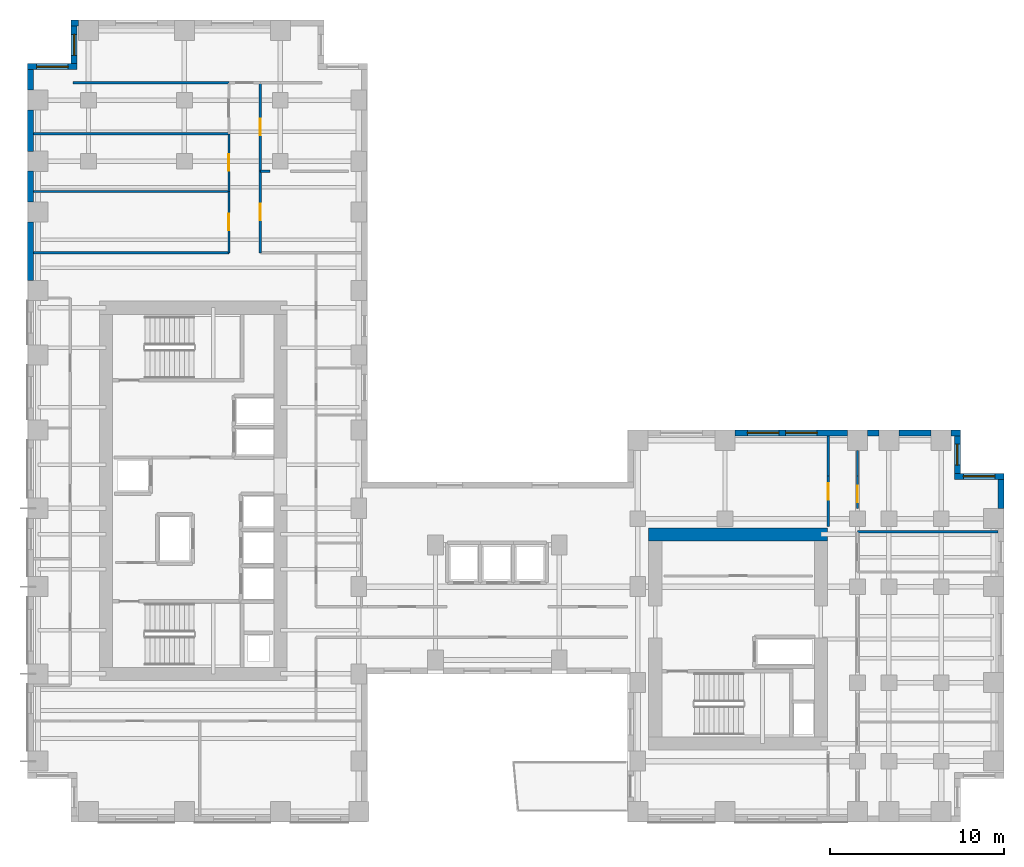
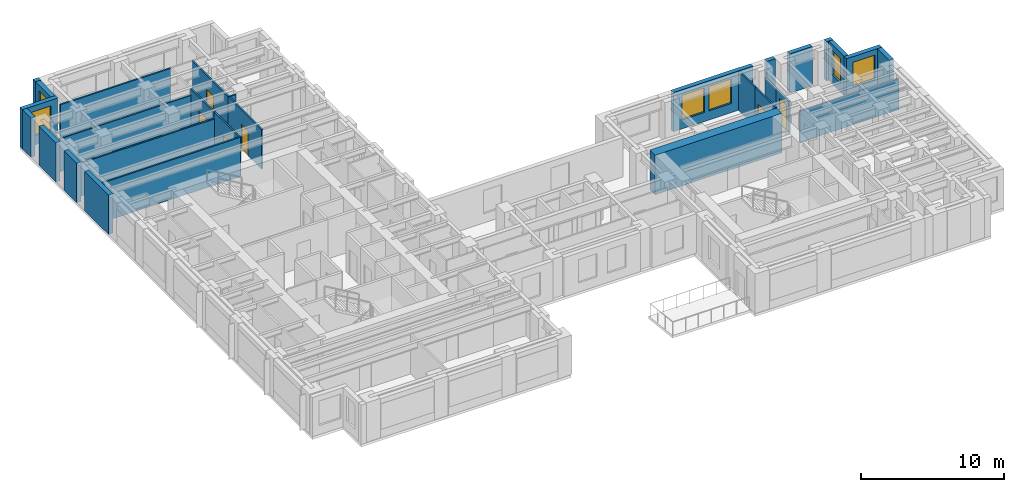
# One storey, part 8 of 12: 29 walls, 6 doors, 6 windows, 12 openings.
"""IFC4 building model written with IfcOpenShell, lengths in metres."""

from ifc_helpers import new_model, si_unit, direction, frame, frame_2d, origin, place, context, subcontext, project, spatial, rectangle, extrude, source, transform, mapped, material, layer, layer_set, type_object, element, fill, save


model = new_model("IFC4")

# Units and contexts
model_context = context("Model", 3, precision=1e-05, world=origin(), true_north=direction((0.0, 1.0)))
body_context = subcontext(model_context, "Body", "Model", "MODEL_VIEW")
ifc_project = project(units=[si_unit("LENGTHUNIT", "METRE"), si_unit("AREAUNIT", "SQUARE_METRE"), si_unit("VOLUMEUNIT", "CUBIC_METRE"), si_unit("PLANEANGLEUNIT", "RADIAN"), si_unit("MASSUNIT", "GRAM", prefix="KILO")], contexts=[model_context])

# Site, building, storey
site_placement = place(None, origin())
site = spatial("IfcSite", under=ifc_project, at=site_placement, CompositionType="ELEMENT")
building_placement = place(site_placement, origin())
building = spatial("IfcBuilding", under=site, at=building_placement, Name="Kharzan Plaza Tower", CompositionType="ELEMENT")
storey_placement = place(building_placement, frame((0.0, 0.0, 91.800048828125)))
storey = spatial("IfcBuildingStorey", under=building, at=storey_placement, Name="L24", CompositionType="ELEMENT", Elevation=91.800048828125)

# Wall, opening, window
ifc_material_1 = material(Name="Concrete C40/50", Category="concrete")
ifc_layer_1 = layer(ifc_material_1, 0.35009765625)
ifc_layer_set_1 = layer_set([ifc_layer_1], Name="Concrete C40/50")
wall_type_1 = type_object("IfcWallType", Name="WL-EXT-MAS-Z2", PredefinedType="SOLIDWALL", material=ifc_layer_set_1)
wall_1_placement = place(storey_placement, frame((2.675048828125, 45.652099609375, 0.0), z_axis=(0.0, 0.0, 1.0), x_axis=(0.0, -1.0, 0.0)))
wall_1 = element("IfcWall", 1, at=wall_1_placement, inside=storey, type_object=wall_type_1, Name="L24 Masonry-Frame Exterior Wall 14", PredefinedType="SOLIDWALL", context=body_context, shape_type="SweptSolid", body=[
    extrude(rectangle(XDim=2.154052734375, YDim=0.35009765625, at=frame_2d((1.0771484375, 0.0))), origin(), (0.0, 0.0, 1.0), 3.364990234375),
])
opening_1_placement = place(wall_1_placement, frame((0.47705078125, 0.0, 0.780029296875)))
opening_1 = element("IfcOpeningElement", 2, at=opening_1_placement, cuts=wall_1, Name="Opening W3", PredefinedType="OPENING", context=body_context, shape_type="SweptSolid", body=[
    extrude(rectangle(XDim=1.199951171875, YDim=2.10009765625, at=frame_2d((0.60009765625, 1.050048828125))), frame((0.0, 0.18505859375, 0.0), z_axis=(0.0, -1.0, 0.0), x_axis=(1.0, 0.0, 0.0)), (0.0, 0.0, 1.0), 0.3701171875),
])
ifc_material_2 = material(Name="Low-E Double Glazing", Category="glass")
window_type_1 = type_object("IfcWindowType", Name="WN-REC-1200x2100", PartitioningType="SINGLE_PANEL", PredefinedType="WINDOW", material=ifc_material_2)
shared_shape_1 = source(origin(), body_context, "Body", "SweptSolid", [
    extrude(rectangle(XDim=1.199951171875, YDim=2.10009765625, at=frame_2d((0.60009765625, 1.050048828125))), frame((0.0, 0.030029296875, 0.0), z_axis=(0.0, -1.0, 0.0), x_axis=(1.0, 0.0, 0.0)), (0.0, 0.0, 1.0), 0.06005859375),
])
window_1_placement = place(opening_1_placement, origin())
window_1 = element("IfcWindow", 3, at=window_1_placement, inside=storey, type_object=window_type_1, Name="L24 Recessed Solar-Control Window 14-1", OverallHeight=2.10009765625, OverallWidth=1.199951171875, PartitioningType="SINGLE_PANEL", PredefinedType="WINDOW", context=body_context, shape_type="MappedRepresentation", body=[
    mapped(shared_shape_1, transform((0.0, 0.0, 0.0), x_axis=(1.0, 0.0, 0.0), y_axis=(0.0, 1.0, 0.0), z_axis=(0.0, 0.0, 1.0))),
])
fill(opening_1, window_1)

wall_2_placement = place(storey_placement, frame((2.85009765625, 43.324951171875, 0.0), z_axis=(0.0, 0.0, 1.0), x_axis=(-1.0, 0.0, 0.0)))
wall_2 = element("IfcWall", 4, at=wall_2_placement, inside=storey, type_object=wall_type_1, Name="L24 Masonry-Frame Exterior Wall 15", PredefinedType="SOLIDWALL", context=body_context, shape_type="SweptSolid", body=[
    extrude(rectangle(XDim=2.85009765625, YDim=0.35009765625, at=frame_2d((1.425048828125, 0.0))), origin(), (0.0, 0.0, 1.0), 3.364990234375),
])
opening_2_placement = place(wall_2_placement, frame((0.52490234375, 0.0, 0.780029296875)))
opening_2 = element("IfcOpeningElement", 5, at=opening_2_placement, cuts=wall_2, Name="Opening W1", PredefinedType="OPENING", context=body_context, shape_type="SweptSolid", body=[
    extrude(rectangle(XDim=1.800048828125, YDim=2.10009765625, at=frame_2d((0.89990234375, 1.050048828125))), frame((0.0, 0.18505859375, 0.0), z_axis=(0.0, -1.0, 0.0), x_axis=(1.0, 0.0, 0.0)), (0.0, 0.0, 1.0), 0.3701171875),
])
window_type_2 = type_object("IfcWindowType", Name="WN-REC-1800x2100", PartitioningType="SINGLE_PANEL", PredefinedType="WINDOW", material=ifc_material_2)
shared_shape_2 = source(origin(), body_context, "Body", "SweptSolid", [
    extrude(rectangle(XDim=1.800048828125, YDim=2.10009765625, at=frame_2d((0.89990234375, 1.050048828125))), frame((0.0, 0.030029296875, 0.0), z_axis=(0.0, -1.0, 0.0), x_axis=(1.0, 0.0, 0.0)), (0.0, 0.0, 1.0), 0.06005859375),
])
window_2_placement = place(opening_2_placement, origin())
window_2 = element("IfcWindow", 6, at=window_2_placement, inside=storey, type_object=window_type_2, Name="L24 Recessed Solar-Control Window 15-1", OverallHeight=2.10009765625, OverallWidth=1.800048828125, PartitioningType="SINGLE_PANEL", PredefinedType="WINDOW", context=body_context, shape_type="MappedRepresentation", body=[
    mapped(shared_shape_2, transform((0.0, 0.0, 0.0), x_axis=(1.0, 0.0, 0.0), y_axis=(0.0, 1.0, 0.0), z_axis=(0.0, 0.0, 1.0))),
])
fill(opening_2, window_2)

wall_3_placement = place(storey_placement, frame((56.0, 19.824951171875, 0.0), z_axis=(0.0, 0.0, 1.0), x_axis=(-1.0, 0.0, 0.0)))
wall_3 = element("IfcWall", 7, at=wall_3_placement, inside=storey, type_object=wall_type_1, Name="L24 Masonry-Frame Exterior Wall 50", PredefinedType="SOLIDWALL", context=body_context, shape_type="SweptSolid", body=[
    extrude(rectangle(XDim=2.85009765625, YDim=0.35009765625, at=frame_2d((1.425048828125, 0.0))), origin(), (0.0, 0.0, 1.0), 3.364990234375),
])
opening_3_placement = place(wall_3_placement, frame((0.52490234375, 0.0, 0.780029296875)))
opening_3 = element("IfcOpeningElement", 8, at=opening_3_placement, cuts=wall_3, Name="Opening W1", PredefinedType="OPENING", context=body_context, shape_type="SweptSolid", body=[
    extrude(rectangle(XDim=1.800048828125, YDim=2.10009765625, at=frame_2d((0.89990234375, 1.050048828125))), frame((0.0, 0.18505859375, 0.0), z_axis=(0.0, -1.0, 0.0), x_axis=(1.0, 0.0, 0.0)), (0.0, 0.0, 1.0), 0.3701171875),
])
window_3_placement = place(opening_3_placement, origin())
window_3 = element("IfcWindow", 9, at=window_3_placement, inside=storey, type_object=window_type_2, Name="L24 Recessed Solar-Control Window 50-1", OverallHeight=2.10009765625, OverallWidth=1.800048828125, PartitioningType="SINGLE_PANEL", PredefinedType="WINDOW", context=body_context, shape_type="MappedRepresentation", body=[
    mapped(shared_shape_2, transform((0.0, 0.0, 0.0), x_axis=(1.0, 0.0, 0.0), y_axis=(0.0, 1.0, 0.0), z_axis=(0.0, 0.0, 1.0))),
])
fill(opening_3, window_3)

wall_4_placement = place(storey_placement, frame((53.324951171875, 19.998046875, 0.0), z_axis=(0.0, 0.0, 1.0), x_axis=(0.0, 1.0, 0.0)))
wall_4 = element("IfcWall", 10, at=wall_4_placement, inside=storey, type_object=wall_type_1, Name="L24 Masonry-Frame Exterior Wall 51", PredefinedType="SOLIDWALL", context=body_context, shape_type="SweptSolid", body=[
    extrude(rectangle(XDim=2.154052734375, YDim=0.35009765625, at=frame_2d((1.0771484375, 0.0))), origin(), (0.0, 0.0, 1.0), 3.364990234375),
])
opening_4_placement = place(wall_4_placement, frame((0.47705078125, 0.0, 0.780029296875)))
opening_4 = element("IfcOpeningElement", 11, at=opening_4_placement, cuts=wall_4, Name="Opening W3", PredefinedType="OPENING", context=body_context, shape_type="SweptSolid", body=[
    extrude(rectangle(XDim=1.199951171875, YDim=2.10009765625, at=frame_2d((0.60009765625, 1.050048828125))), frame((0.0, 0.18505859375, 0.0), z_axis=(0.0, -1.0, 0.0), x_axis=(1.0, 0.0, 0.0)), (0.0, 0.0, 1.0), 0.3701171875),
])
window_4_placement = place(opening_4_placement, origin())
window_4 = element("IfcWindow", 12, at=window_4_placement, inside=storey, type_object=window_type_1, Name="L24 Recessed Solar-Control Window 51-1", OverallHeight=2.10009765625, OverallWidth=1.199951171875, PartitioningType="SINGLE_PANEL", PredefinedType="WINDOW", context=body_context, shape_type="MappedRepresentation", body=[
    mapped(shared_shape_1, transform((0.0, 0.0, 0.0), x_axis=(1.0, 0.0, 0.0), y_axis=(0.0, 1.0, 0.0), z_axis=(0.0, 0.0, 1.0))),
])
fill(opening_4, window_4)

# Wall, openings, windows
wall_5_placement = place(storey_placement, frame((47.027099609375, 22.324951171875, 0.0), z_axis=(0.0, 0.0, 1.0), x_axis=(-1.0, 0.0, 0.0)))
wall_5 = element("IfcWall", 13, at=wall_5_placement, inside=storey, type_object=wall_type_1, Name="L24 Masonry-Frame Exterior Wall 55", PredefinedType="SOLIDWALL", context=body_context, shape_type="SweptSolid", body=[
    extrude(rectangle(XDim=6.4541015625, YDim=0.35009765625, at=frame_2d((3.22705078125, 0.0))), origin(), (0.0, 0.0, 1.0), 3.364990234375),
])
opening_5_placement = place(wall_5_placement, frame((1.749267578125, 0.0, 0.780029296875)))
opening_5 = element("IfcOpeningElement", 14, at=opening_5_placement, cuts=wall_5, Name="Opening W1", PredefinedType="OPENING", context=body_context, shape_type="SweptSolid", body=[
    extrude(rectangle(XDim=1.800048828125, YDim=2.10009765625, at=frame_2d((0.89990234375, 1.050048828125))), frame((0.0, 0.18505859375, 0.0), z_axis=(0.0, -1.0, 0.0), x_axis=(1.0, 0.0, 0.0)), (0.0, 0.0, 1.0), 0.3701171875),
])
opening_6_placement = place(wall_5_placement, frame((3.941650390625, 0.0, 0.780029296875)))
opening_6 = element("IfcOpeningElement", 15, at=opening_6_placement, cuts=wall_5, Name="Opening W1", PredefinedType="OPENING", context=body_context, shape_type="SweptSolid", body=[
    extrude(rectangle(XDim=1.800048828125, YDim=2.10009765625, at=frame_2d((0.89990234375, 1.050048828125))), frame((0.0, 0.18505859375, 0.0), z_axis=(0.0, -1.0, 0.0), x_axis=(1.0, 0.0, 0.0)), (0.0, 0.0, 1.0), 0.3701171875),
])
window_5_placement = place(opening_5_placement, origin())
window_5 = element("IfcWindow", 16, at=window_5_placement, inside=storey, type_object=window_type_2, Name="L24 Recessed Solar-Control Window 55-1", OverallHeight=2.10009765625, OverallWidth=1.800048828125, PartitioningType="SINGLE_PANEL", PredefinedType="WINDOW", context=body_context, shape_type="MappedRepresentation", body=[
    mapped(shared_shape_2, transform((0.0, 0.0, 0.0), x_axis=(1.0, 0.0, 0.0), y_axis=(0.0, 1.0, 0.0), z_axis=(0.0, 0.0, 1.0))),
])
fill(opening_5, window_5)
window_6_placement = place(opening_6_placement, origin())
window_6 = element("IfcWindow", 17, at=window_6_placement, inside=storey, type_object=window_type_2, Name="L24 Recessed Solar-Control Window 55-2", OverallHeight=2.10009765625, OverallWidth=1.800048828125, PartitioningType="SINGLE_PANEL", PredefinedType="WINDOW", context=body_context, shape_type="MappedRepresentation", body=[
    mapped(shared_shape_2, transform((0.0, 0.0, 0.0), x_axis=(1.0, 0.0, 0.0), y_axis=(0.0, 1.0, 0.0), z_axis=(0.0, 0.0, 1.0))),
])
fill(opening_6, window_6)

# Wall, opening, door
ifc_material_3 = material(Name="Fire-Rated Gypsum Board Partition", Category="gypsum")
ifc_layer_2 = layer(ifc_material_3, 0.125)
ifc_layer_set_2 = layer_set([ifc_layer_2], Name="Fire-Rated Gypsum Board Partition")
wall_type_2 = type_object("IfcWallType", Name="WL-INT-PART-125", PredefinedType="PARTITIONING", material=ifc_layer_set_2)
wall_6_placement = place(storey_placement, frame((47.60009765625, 17.989990234375, 0.0), z_axis=(0.0, 0.0, 1.0), x_axis=(0.0, 1.0, 0.0)))
wall_6 = element("IfcWall", 18, at=wall_6_placement, inside=storey, type_object=wall_type_2, Name="L24 Interior Partition SH-B3W2", PredefinedType="PARTITIONING", context=body_context, shape_type="SweptSolid", body=[
    extrude(rectangle(XDim=1.860107421875, YDim=0.125, at=frame_2d((0.93017578125, 0.0))), origin(), (0.0, 0.0, 1.0), 2.677001953125),
])
opening_7_placement = place(wall_6_placement, frame((0.36328125, 0.0, 0.0)))
opening_7 = element("IfcOpeningElement", 19, at=opening_7_placement, cuts=wall_6, Name="Opening OD1", PredefinedType="OPENING", context=body_context, shape_type="SweptSolid", body=[
    extrude(rectangle(XDim=0.949951171875, YDim=2.14990234375, at=frame_2d((0.47509765625, 1.074951171875))), frame((0.0, 0.072509765625, 0.0), z_axis=(0.0, -1.0, 0.0), x_axis=(1.0, 0.0, 0.0)), (0.0, 0.0, 1.0), 0.14501953125),
])
ifc_material_4 = material(Name="Acoustic Solid-Core Stained Oak", Category="timber")
door_type = type_object("IfcDoorType", Name="DR-OFF-SINGLE", OperationType="NOTDEFINED", PredefinedType="DOOR", material=ifc_material_4)
shared_shape_3 = source(origin(), body_context, "Body", "SweptSolid", [
    extrude(rectangle(XDim=0.949951171875, YDim=2.14990234375, at=frame_2d((0.47509765625, 1.074951171875))), frame((0.0, 0.02490234375, 0.0), z_axis=(0.0, -1.0, 0.0), x_axis=(1.0, 0.0, 0.0)), (0.0, 0.0, 1.0), 0.050048828125),
])
door_1_placement = place(opening_7_placement, origin())
door_1 = element("IfcDoor", 20, at=door_1_placement, inside=storey, type_object=door_type, Name="L24 Wing B Office 3 Door", OperationType="SINGLE_SWING_RIGHT", OverallHeight=2.14990234375, OverallWidth=0.949951171875, PredefinedType="DOOR", context=body_context, shape_type="MappedRepresentation", body=[
    mapped(shared_shape_3, transform((0.0, 0.0, 0.0), x_axis=(1.0, 0.0, 0.0), y_axis=(0.0, 1.0, 0.0), z_axis=(0.0, 0.0, 1.0))),
])
fill(opening_7, door_1)

wall_7_placement = place(storey_placement, frame((45.919921875, 16.949951171875, 0.0), z_axis=(0.0, 0.0, 1.0), x_axis=(0.0, 1.0, 0.0)))
wall_7 = element("IfcWall", 21, at=wall_7_placement, inside=storey, type_object=wall_type_2, Name="L24 Interior Partition SH-RBNE", PredefinedType="PARTITIONING", context=body_context, shape_type="SweptSolid", body=[
    extrude(rectangle(XDim=2.900146484375, YDim=0.125, at=frame_2d((1.4501953125, 0.0))), origin(), (0.0, 0.0, 1.0), 3.364990234375),
])
opening_8_placement = place(wall_7_placement, frame((1.54296875, 0.0, 0.0)))
opening_8 = element("IfcOpeningElement", 22, at=opening_8_placement, cuts=wall_7, Name="Opening OD1", PredefinedType="OPENING", context=body_context, shape_type="SweptSolid", body=[
    extrude(rectangle(XDim=0.949951171875, YDim=2.14990234375, at=frame_2d((0.47509765625, 1.074951171875))), frame((0.0, 0.072509765625, 0.0), z_axis=(0.0, -1.0, 0.0), x_axis=(1.0, 0.0, 0.0)), (0.0, 0.0, 1.0), 0.14501953125),
])
door_2_placement = place(opening_8_placement, origin())
door_2 = element("IfcDoor", 23, at=door_2_placement, inside=storey, type_object=door_type, Name="L24 Wing B North Studio Door", OperationType="SINGLE_SWING_LEFT", OverallHeight=2.14990234375, OverallWidth=0.949951171875, PredefinedType="DOOR", context=body_context, shape_type="MappedRepresentation", body=[
    mapped(shared_shape_3, transform((0.0, 0.0, 0.0), x_axis=(1.0, 0.0, 0.0), y_axis=(0.0, 1.0, 0.0), z_axis=(0.0, 0.0, 1.0))),
])
fill(opening_8, door_2)

wall_8_placement = place(storey_placement, frame((13.35009765625, 32.64990234375, 0.0), z_axis=(0.0, 0.0, 1.0), x_axis=(0.0, 1.0, 0.0)))
wall_8 = element("IfcWall", 24, at=wall_8_placement, inside=storey, type_object=wall_type_2, Name="L24 Interior Partition SH-SPE-1", PredefinedType="PARTITIONING", context=body_context, shape_type="SweptSolid", body=[
    extrude(rectangle(XDim=4.68017578125, YDim=0.125, at=frame_2d((2.340087890625, 0.0))), origin(), (0.0, 0.0, 1.0), 3.364990234375),
])
opening_9_placement = place(wall_8_placement, frame((1.864990234375, 0.0, 0.0)))
opening_9 = element("IfcOpeningElement", 25, at=opening_9_placement, cuts=wall_8, Name="Opening OD1", PredefinedType="OPENING", context=body_context, shape_type="SweptSolid", body=[
    extrude(rectangle(XDim=0.949951171875, YDim=2.14990234375, at=frame_2d((0.47509765625, 1.074951171875))), frame((0.0, 0.072509765625, 0.0), z_axis=(0.0, -1.0, 0.0), x_axis=(1.0, 0.0, 0.0)), (0.0, 0.0, 1.0), 0.14501953125),
])
door_3_placement = place(opening_9_placement, origin())
door_3 = element("IfcDoor", 26, at=door_3_placement, inside=storey, type_object=door_type, Name="L24 Occupational Health Treatment Room Door", OperationType="SINGLE_SWING_LEFT", OverallHeight=2.14990234375, OverallWidth=0.949951171875, PredefinedType="DOOR", context=body_context, shape_type="MappedRepresentation", body=[
    mapped(shared_shape_3, transform((0.0, 0.0, 0.0), x_axis=(1.0, 0.0, 0.0), y_axis=(0.0, 1.0, 0.0), z_axis=(0.0, 0.0, 1.0))),
])
fill(opening_9, door_3)

wall_9_placement = place(storey_placement, frame((13.35009765625, 37.330078125, 0.0), z_axis=(0.0, 0.0, 1.0), x_axis=(0.0, 1.0, 0.0)))
wall_9 = element("IfcWall", 27, at=wall_9_placement, inside=storey, type_object=wall_type_2, Name="L24 Interior Partition SH-SPE-2", PredefinedType="PARTITIONING", context=body_context, shape_type="SweptSolid", body=[
    extrude(rectangle(XDim=5.06982421875, YDim=0.125, at=frame_2d((2.534912109375, 0.0))), origin(), (0.0, 0.0, 1.0), 3.364990234375),
])
opening_10_placement = place(wall_9_placement, frame((2.06005859375, 0.0, 0.0)))
opening_10 = element("IfcOpeningElement", 28, at=opening_10_placement, cuts=wall_9, Name="Opening OD1", PredefinedType="OPENING", context=body_context, shape_type="SweptSolid", body=[
    extrude(rectangle(XDim=0.949951171875, YDim=2.14990234375, at=frame_2d((0.47509765625, 1.074951171875))), frame((0.0, 0.072509765625, 0.0), z_axis=(0.0, -1.0, 0.0), x_axis=(1.0, 0.0, 0.0)), (0.0, 0.0, 1.0), 0.14501953125),
])
door_4_placement = place(opening_10_placement, origin())
door_4 = element("IfcDoor", 29, at=door_4_placement, inside=storey, type_object=door_type, Name="L24 Occupational Health Treatment Room Door", OperationType="SINGLE_SWING_LEFT", OverallHeight=2.14990234375, OverallWidth=0.949951171875, PredefinedType="DOOR", context=body_context, shape_type="MappedRepresentation", body=[
    mapped(shared_shape_3, transform((0.0, 0.0, 0.0), x_axis=(1.0, 0.0, 0.0), y_axis=(0.0, 1.0, 0.0), z_axis=(0.0, 0.0, 1.0))),
])
fill(opening_10, door_4)

wall_10_placement = place(storey_placement, frame((11.550048828125, 32.64990234375, 0.0), z_axis=(0.0, 0.0, 1.0), x_axis=(0.0, 1.0, 0.0)))
wall_10 = element("IfcWall", 30, at=wall_10_placement, inside=storey, type_object=wall_type_2, Name="L24 Interior Partition SH-SPW-1", PredefinedType="PARTITIONING", context=body_context, shape_type="SweptSolid", body=[
    extrude(rectangle(XDim=3.510009765625, YDim=0.125, at=frame_2d((1.7548828125, 0.0))), origin(), (0.0, 0.0, 1.0), 3.364990234375),
])
opening_11_placement = place(wall_10_placement, frame((1.280029296875, 0.0, 0.0)))
opening_11 = element("IfcOpeningElement", 31, at=opening_11_placement, cuts=wall_10, Name="Opening OD1", PredefinedType="OPENING", context=body_context, shape_type="SweptSolid", body=[
    extrude(rectangle(XDim=0.949951171875, YDim=2.14990234375, at=frame_2d((0.47509765625, 1.074951171875))), frame((0.0, 0.072509765625, 0.0), z_axis=(0.0, -1.0, 0.0), x_axis=(1.0, 0.0, 0.0)), (0.0, 0.0, 1.0), 0.14501953125),
])
door_5_placement = place(opening_11_placement, origin())
door_5 = element("IfcDoor", 32, at=door_5_placement, inside=storey, type_object=door_type, Name="L24 Staff Refreshment Pantry Door", OperationType="SINGLE_SWING_RIGHT", OverallHeight=2.14990234375, OverallWidth=0.949951171875, PredefinedType="DOOR", context=body_context, shape_type="MappedRepresentation", body=[
    mapped(shared_shape_3, transform((0.0, 0.0, 0.0), x_axis=(1.0, 0.0, 0.0), y_axis=(0.0, 1.0, 0.0), z_axis=(0.0, 0.0, 1.0))),
])
fill(opening_11, door_5)

wall_11_placement = place(storey_placement, frame((11.550048828125, 36.159912109375, 0.0), z_axis=(0.0, 0.0, 1.0), x_axis=(0.0, 1.0, 0.0)))
wall_11 = element("IfcWall", 33, at=wall_11_placement, inside=storey, type_object=wall_type_2, Name="L24 Interior Partition SH-SPW-2", PredefinedType="PARTITIONING", context=body_context, shape_type="SweptSolid", body=[
    extrude(rectangle(XDim=3.315185546875, YDim=0.125, at=frame_2d((1.65771484375, 0.0))), origin(), (0.0, 0.0, 1.0), 3.364990234375),
])
opening_12_placement = place(wall_11_placement, frame((1.1826171875, 0.0, 0.0)))
opening_12 = element("IfcOpeningElement", 34, at=opening_12_placement, cuts=wall_11, Name="Opening OD1", PredefinedType="OPENING", context=body_context, shape_type="SweptSolid", body=[
    extrude(rectangle(XDim=0.949951171875, YDim=2.14990234375, at=frame_2d((0.47509765625, 1.074951171875))), frame((0.0, 0.072509765625, 0.0), z_axis=(0.0, -1.0, 0.0), x_axis=(1.0, 0.0, 0.0)), (0.0, 0.0, 1.0), 0.14501953125),
])
door_6_placement = place(opening_12_placement, origin())
door_6 = element("IfcDoor", 35, at=door_6_placement, inside=storey, type_object=door_type, Name="L24 Staff Refreshment Pantry Door", OperationType="SINGLE_SWING_LEFT", OverallHeight=2.14990234375, OverallWidth=0.949951171875, PredefinedType="DOOR", context=body_context, shape_type="MappedRepresentation", body=[
    mapped(shared_shape_3, transform((0.0, 0.0, 0.0), x_axis=(1.0, 0.0, 0.0), y_axis=(0.0, 1.0, 0.0), z_axis=(0.0, 0.0, 1.0))),
])
fill(opening_12, door_6)

# Walls
shared_shape_4 = source(origin(), body_context, "Body", "SweptSolid", [
    extrude(rectangle(XDim=2.2978515625, YDim=0.125, at=frame_2d((1.14892578125, 0.0))), origin(), (0.0, 0.0, 1.0), 3.364990234375),
])
wall_12_placement = place(storey_placement, frame((45.919921875, 19.85009765625, 0.0), z_axis=(0.0, 0.0, 1.0), x_axis=(0.0, 1.0, 0.0)))
element("IfcWall", 36, at=wall_12_placement, inside=storey, type_object=wall_type_2, Name="L24 Interior Partition SH-RBNE0", PredefinedType="PARTITIONING", context=body_context, shape_type="MappedRepresentation", body=[
    mapped(shared_shape_4, transform((0.0, 0.0, 0.0), x_axis=(1.0, 0.0, 0.0), y_axis=(0.0, 1.0, 0.0), z_axis=(0.0, 0.0, 1.0))),
])
shared_shape_5 = source(origin(), body_context, "Body", "SweptSolid", [
    extrude(rectangle(XDim=11.197998046875, YDim=0.125, at=frame_2d((5.59912109375, 0.0))), origin(), (0.0, 0.0, 1.0), 3.364990234375),
])
wall_13_placement = place(storey_placement, frame((0.35205078125, 32.64990234375, 0.0), z_axis=(0.0, 0.0, 1.0), x_axis=(1.0, 0.0, 0.0)))
element("IfcWall", 37, at=wall_13_placement, inside=storey, type_object=wall_type_2, Name="L24 Interior Partition SH-NNW", PredefinedType="PARTITIONING", context=body_context, shape_type="MappedRepresentation", body=[
    mapped(shared_shape_5, transform((0.0, 0.0, 0.0), x_axis=(1.0, 0.0, 0.0), y_axis=(0.0, 1.0, 0.0), z_axis=(0.0, 0.0, 1.0))),
])
shared_shape_6 = source(origin(), body_context, "Body", "SweptSolid", [
    extrude(rectangle(XDim=8.949951171875, YDim=0.125, at=frame_2d((4.47509765625, 0.0))), origin(), (0.0, 0.0, 1.0), 3.364990234375),
])
wall_14_placement = place(storey_placement, frame((2.60009765625, 42.39990234375, 0.0), z_axis=(0.0, 0.0, 1.0), x_axis=(1.0, 0.0, 0.0)))
element("IfcWall", 38, at=wall_14_placement, inside=storey, type_object=wall_type_2, Name="L24 Interior Partition SH-SPHW", PredefinedType="PARTITIONING", context=body_context, shape_type="MappedRepresentation", body=[
    mapped(shared_shape_6, transform((0.0, 0.0, 0.0), x_axis=(1.0, 0.0, 0.0), y_axis=(0.0, 1.0, 0.0), z_axis=(0.0, 0.0, 1.0))),
])
shared_shape_7 = source(origin(), body_context, "Body", "SweptSolid", [
    extrude(rectangle(XDim=11.197998046875, YDim=0.125, at=frame_2d((5.59912109375, 0.0))), origin(), (0.0, 0.0, 1.0), 2.827880859375),
])
for number, where, z_axis, x_axis, name in (
    (39, (0.35205078125, 36.159912109375, 0.0), (0.0, 0.0, 1.0), (1.0, 0.0, 0.0), "L24 Interior Partition SH-NWH-1"),
    (40, (0.35205078125, 39.47509765625, 0.0), (0.0, 0.0, 1.0), (1.0, 0.0, 0.0), "L24 Interior Partition SH-NWH-2"),
):
    element("IfcWall", number, at=place(storey_placement, frame(where, z_axis=z_axis, x_axis=x_axis)), inside=storey, type_object=wall_type_2, Name=name, PredefinedType="PARTITIONING", context=body_context, shape_type="MappedRepresentation", body=[
        mapped(shared_shape_7, transform((0.0, 0.0, 0.0), x_axis=(1.0, 0.0, 0.0), y_axis=(0.0, 1.0, 0.0), z_axis=(0.0, 0.0, 1.0))),
    ])
shared_shape_8 = source(origin(), body_context, "Body", "SweptSolid", [
    extrude(rectangle(XDim=0.427001953125, YDim=0.35009765625, at=frame_2d((0.21337890625, 0.0))), origin(), (0.0, 0.0, 1.0), 3.364990234375),
])
wall_15_placement = place(storey_placement, frame((2.927001953125, 45.824951171875, 0.0), z_axis=(0.0, 0.0, 1.0), x_axis=(-1.0, 0.0, 0.0)))
element("IfcWall", 41, at=wall_15_placement, inside=storey, type_object=wall_type_1, Name="L24 Masonry-Frame Exterior Wall 13", PredefinedType="SOLIDWALL", context=body_context, shape_type="MappedRepresentation", body=[
    mapped(shared_shape_8, transform((0.0, 0.0, 0.0), x_axis=(1.0, 0.0, 0.0), y_axis=(0.0, 1.0, 0.0), z_axis=(0.0, 0.0, 1.0))),
])
shared_shape_9 = source(origin(), body_context, "Body", "SweptSolid", [
    extrude(rectangle(XDim=1.17919921875, YDim=0.35009765625, at=frame_2d((0.589599609375, 0.0))), origin(), (0.0, 0.0, 1.0), 3.364990234375),
])
wall_16_placement = place(storey_placement, frame((0.175048828125, 43.152099609375, 0.0), z_axis=(0.0, 0.0, 1.0), x_axis=(0.0, -1.0, 0.0)))
element("IfcWall", 42, at=wall_16_placement, inside=storey, type_object=wall_type_1, Name="L24 Masonry-Frame Exterior Wall 16", PredefinedType="SOLIDWALL", context=body_context, shape_type="MappedRepresentation", body=[
    mapped(shared_shape_9, transform((0.0, 0.0, 0.0), x_axis=(1.0, 0.0, 0.0), y_axis=(0.0, 1.0, 0.0), z_axis=(0.0, 0.0, 1.0))),
])
shared_shape_10 = source(origin(), body_context, "Body", "SweptSolid", [
    extrude(rectangle(XDim=1.75390625, YDim=0.35009765625, at=frame_2d((0.876953125, 0.0))), origin(), (0.0, 0.0, 1.0), 3.364990234375),
])
wall_17_placement = place(storey_placement, frame((0.175048828125, 37.326904296875, 0.0), z_axis=(0.0, 0.0, 1.0), x_axis=(0.0, -1.0, 0.0)))
element("IfcWall", 43, at=wall_17_placement, inside=storey, type_object=wall_type_1, Name="L24 Masonry-Frame Exterior Wall 18", PredefinedType="SOLIDWALL", context=body_context, shape_type="MappedRepresentation", body=[
    mapped(shared_shape_10, transform((0.0, 0.0, 0.0), x_axis=(1.0, 0.0, 0.0), y_axis=(0.0, 1.0, 0.0), z_axis=(0.0, 0.0, 1.0))),
])
shared_shape_11 = source(origin(), body_context, "Body", "SweptSolid", [
    extrude(rectangle(XDim=0.65380859375, YDim=0.35009765625, at=frame_2d((0.326904296875, 0.0))), origin(), (0.0, 0.0, 1.0), 3.364990234375),
])
wall_18_placement = place(storey_placement, frame((48.826904296875, 22.324951171875, 0.0), z_axis=(0.0, 0.0, 1.0), x_axis=(-1.0, 0.0, 0.0)))
element("IfcWall", 44, at=wall_18_placement, inside=storey, type_object=wall_type_1, Name="L24 Masonry-Frame Exterior Wall 54", PredefinedType="SOLIDWALL", context=body_context, shape_type="MappedRepresentation", body=[
    mapped(shared_shape_11, transform((0.0, 0.0, 0.0), x_axis=(1.0, 0.0, 0.0), y_axis=(0.0, 1.0, 0.0), z_axis=(0.0, 0.0, 1.0))),
])
shared_shape_12 = source(origin(), body_context, "Body", "SweptSolid", [
    extrude(rectangle(XDim=1.85400390625, YDim=0.35009765625, at=frame_2d((0.927001953125, 0.0))), origin(), (0.0, 0.0, 1.0), 3.364990234375),
])
wall_19_placement = place(storey_placement, frame((51.826904296875, 22.324951171875, 0.0), z_axis=(0.0, 0.0, 1.0), x_axis=(-1.0, 0.0, 0.0)))
element("IfcWall", 45, at=wall_19_placement, inside=storey, type_object=wall_type_1, Name="L24 Masonry-Frame Exterior Wall 53", PredefinedType="SOLIDWALL", context=body_context, shape_type="MappedRepresentation", body=[
    mapped(shared_shape_12, transform((0.0, 0.0, 0.0), x_axis=(1.0, 0.0, 0.0), y_axis=(0.0, 1.0, 0.0), z_axis=(0.0, 0.0, 1.0))),
])
shared_shape_13 = source(origin(), body_context, "Body", "SweptSolid", [
    extrude(rectangle(XDim=0.527099609375, YDim=0.35009765625, at=frame_2d((0.263671875, 0.0))), origin(), (0.0, 0.0, 1.0), 3.364990234375),
])
wall_20_placement = place(storey_placement, frame((53.5, 22.324951171875, 0.0), z_axis=(0.0, 0.0, 1.0), x_axis=(-1.0, 0.0, 0.0)))
element("IfcWall", 46, at=wall_20_placement, inside=storey, type_object=wall_type_1, Name="L24 Masonry-Frame Exterior Wall 52", PredefinedType="SOLIDWALL", context=body_context, shape_type="MappedRepresentation", body=[
    mapped(shared_shape_13, transform((0.0, 0.0, 0.0), x_axis=(1.0, 0.0, 0.0), y_axis=(0.0, 1.0, 0.0), z_axis=(0.0, 0.0, 1.0))),
])
shared_shape_14 = source(origin(), body_context, "Body", "SweptSolid", [
    extrude(rectangle(XDim=3.35400390625, YDim=0.35009765625, at=frame_2d((1.677001953125, 0.0))), origin(), (0.0, 0.0, 1.0), 3.364990234375),
])
wall_21_placement = place(storey_placement, frame((0.175048828125, 34.427001953125, 0.0), z_axis=(0.0, 0.0, 1.0), x_axis=(0.0, -1.0, 0.0)))
element("IfcWall", 47, at=wall_21_placement, inside=storey, type_object=wall_type_1, Name="L24 Masonry-Frame Exterior Wall 19", PredefinedType="SOLIDWALL", context=body_context, shape_type="MappedRepresentation", body=[
    mapped(shared_shape_14, transform((0.0, 0.0, 0.0), x_axis=(1.0, 0.0, 0.0), y_axis=(0.0, 1.0, 0.0), z_axis=(0.0, 0.0, 1.0))),
])
shared_shape_15 = source(origin(), body_context, "Body", "SweptSolid", [
    extrude(rectangle(XDim=1.67919921875, YDim=0.35009765625, at=frame_2d((0.839599609375, 0.0))), origin(), (0.0, 0.0, 1.0), 3.364990234375),
])
wall_22_placement = place(storey_placement, frame((55.824951171875, 17.972900390625, 0.0), z_axis=(0.0, 0.0, 1.0), x_axis=(0.0, 1.0, 0.0)))
element("IfcWall", 48, at=wall_22_placement, inside=storey, type_object=wall_type_1, Name="L24 Masonry-Frame Exterior Wall 49", PredefinedType="SOLIDWALL", context=body_context, shape_type="MappedRepresentation", body=[
    mapped(shared_shape_15, transform((0.0, 0.0, 0.0), x_axis=(1.0, 0.0, 0.0), y_axis=(0.0, 1.0, 0.0), z_axis=(0.0, 0.0, 1.0))),
])
ifc_material_5 = material(Name="Concrete C60/75", Category="concrete")
ifc_layer_3 = layer(ifc_material_5, 0.75)
ifc_layer_set_3 = layer_set([ifc_layer_3], Name="Concrete C60/75")
wall_type_3 = type_object("IfcWallType", Name="WL-CORE-750", PredefinedType="SHEAR", material=ifc_layer_set_3)
shared_shape_16 = source(origin(), body_context, "Body", "SweptSolid", [
    extrude(rectangle(XDim=10.25, YDim=0.75, at=frame_2d((5.125, 0.0))), origin(), (0.0, 0.0, 1.0), 3.3798828125),
])
wall_23_placement = place(storey_placement, frame((35.625, 16.5, 0.0), z_axis=(0.0, 0.0, 1.0), x_axis=(1.0, 0.0, 0.0)))
element("IfcWall", 49, at=wall_23_placement, inside=storey, type_object=wall_type_3, Name="L24 CORE-B north RC shear wall", PredefinedType="SHEAR", context=body_context, shape_type="MappedRepresentation", body=[
    mapped(shared_shape_16, transform((0.0, 0.0, 0.0), x_axis=(1.0, 0.0, 0.0), y_axis=(0.0, 1.0, 0.0), z_axis=(0.0, 0.0, 1.0))),
])
shared_shape_17 = source(origin(), body_context, "Body", "SweptSolid", [
    extrude(rectangle(XDim=1.4599609375, YDim=0.125, at=frame_2d((0.72998046875, 0.0))), origin(), (0.0, 0.0, 1.0), 2.677001953125),
])
wall_24_placement = place(storey_placement, frame((47.60009765625, 19.85009765625, 0.0), z_axis=(0.0, 0.0, 1.0), x_axis=(0.0, 1.0, 0.0)))
element("IfcWall", 50, at=wall_24_placement, inside=storey, type_object=wall_type_2, Name="L24 Interior Partition SH-B3W2N", PredefinedType="PARTITIONING", context=body_context, shape_type="MappedRepresentation", body=[
    mapped(shared_shape_17, transform((0.0, 0.0, 0.0), x_axis=(1.0, 0.0, 0.0), y_axis=(0.0, 1.0, 0.0), z_axis=(0.0, 0.0, 1.0))),
])
shared_shape_18 = source(origin(), body_context, "Body", "SweptSolid", [
    extrude(rectangle(XDim=8.0478515625, YDim=0.125, at=frame_2d((4.02392578125, 0.0))), origin(), (0.0, 0.0, 1.0), 2.677001953125),
])
wall_25_placement = place(storey_placement, frame((47.60009765625, 16.64990234375, 0.0), z_axis=(0.0, 0.0, 1.0), x_axis=(1.0, 0.0, 0.0)))
element("IfcWall", 51, at=wall_25_placement, inside=storey, type_object=wall_type_2, Name="L24 Interior Partition SH-B3H-166", PredefinedType="PARTITIONING", context=body_context, shape_type="MappedRepresentation", body=[
    mapped(shared_shape_18, transform((0.0, 0.0, 0.0), x_axis=(1.0, 0.0, 0.0), y_axis=(0.0, 1.0, 0.0), z_axis=(0.0, 0.0, 1.0))),
])
shared_shape_19 = source(origin(), body_context, "Body", "SweptSolid", [
    extrude(rectangle(XDim=0.559814453125, YDim=0.125, at=frame_2d((0.27978515625, 0.0))), origin(), (0.0, 0.0, 1.0), 3.364990234375),
])
wall_26_placement = place(storey_placement, frame((13.35009765625, 37.330078125, 0.0), z_axis=(0.0, 0.0, 1.0), x_axis=(1.0, 0.0, 0.0)))
element("IfcWall", 52, at=wall_26_placement, inside=storey, type_object=wall_type_2, Name="L24 Interior Partition SH-NEH-1-S1", PredefinedType="PARTITIONING", context=body_context, shape_type="MappedRepresentation", body=[
    mapped(shared_shape_19, transform((0.0, 0.0, 0.0), x_axis=(1.0, 0.0, 0.0), y_axis=(0.0, 1.0, 0.0), z_axis=(0.0, 0.0, 1.0))),
])
shared_shape_20 = source(origin(), body_context, "Body", "SweptSolid", [
    extrude(rectangle(XDim=2.35400390625, YDim=0.35009765625, at=frame_2d((1.177001953125, 0.0))), origin(), (0.0, 0.0, 1.0), 3.364990234375),
])
wall_27_placement = place(storey_placement, frame((0.175048828125, 40.826904296875, 0.0), z_axis=(0.0, 0.0, 1.0), x_axis=(0.0, -1.0, 0.0)))
element("IfcWall", 53, at=wall_27_placement, inside=storey, type_object=wall_type_1, Name="L24 Masonry-Frame Exterior Wall 17", PredefinedType="SOLIDWALL", context=body_context, shape_type="MappedRepresentation", body=[
    mapped(shared_shape_20, transform((0.0, 0.0, 0.0), x_axis=(1.0, 0.0, 0.0), y_axis=(0.0, 1.0, 0.0), z_axis=(0.0, 0.0, 1.0))),
])

save(model, "model.ifc")
